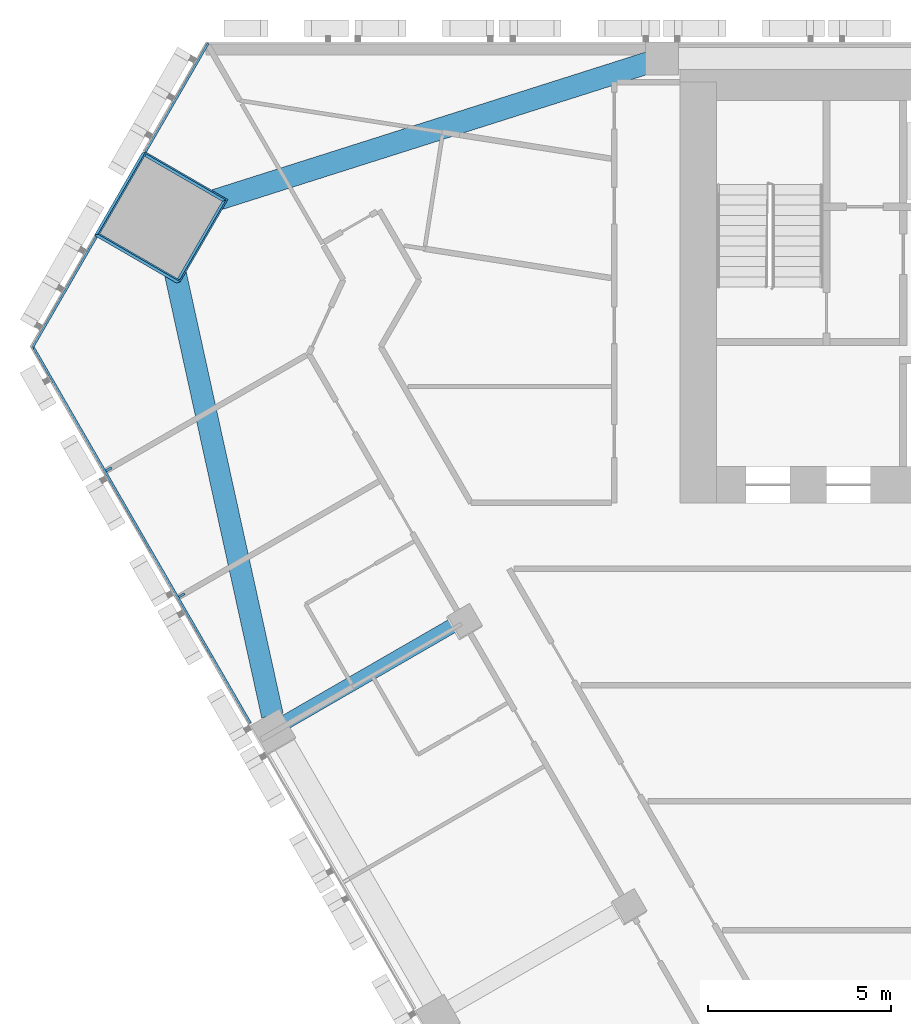
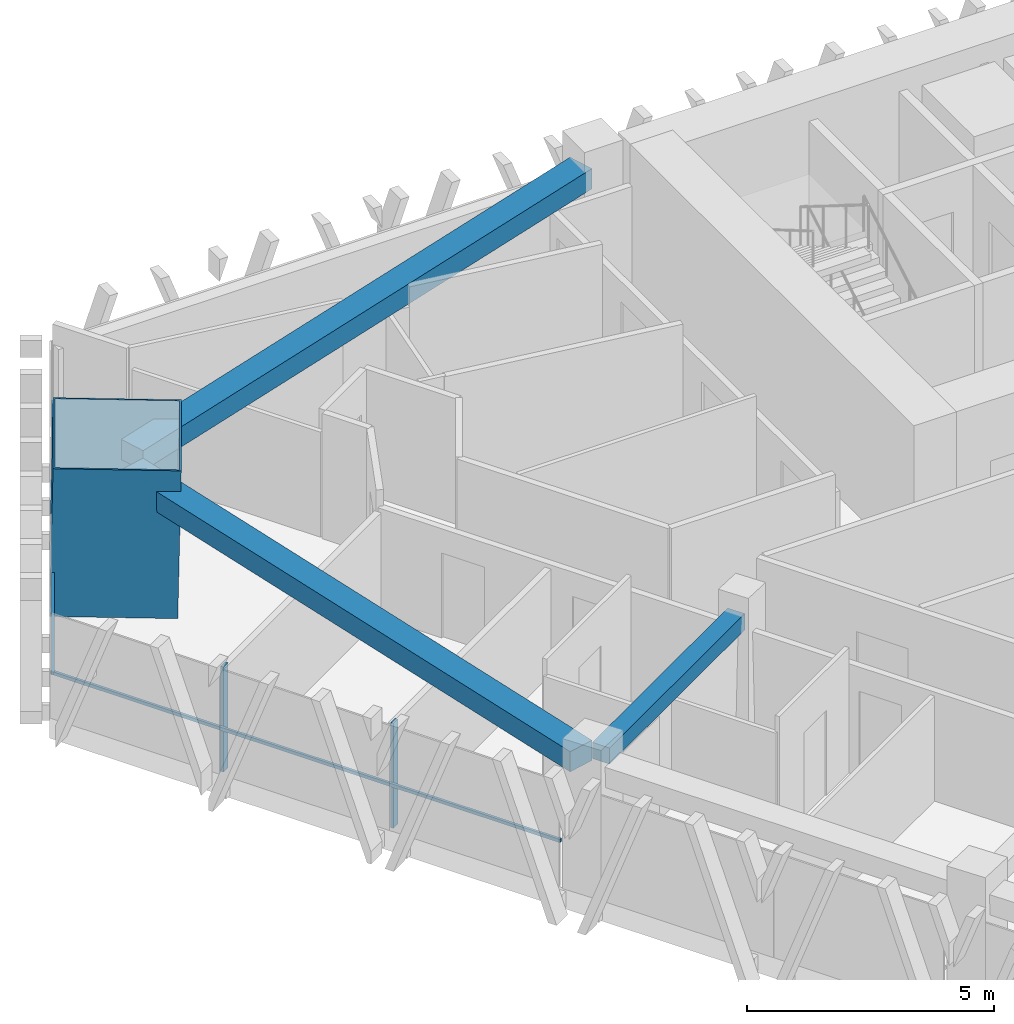
# One storey, part 6 of 18: 6 members, 3 beams, 2 elements without a shape of their own.
"""IFC4 building model written with IfcOpenShell, lengths in metres."""

from ifc_helpers import new_model, si_unit, direction, frame, origin, origin_2d, place, context, subcontext, project, spatial, rectangle, hollow_rectangle, extrude, material, layer, layer_set, material_profile, profile_set, type_object, element, aggregate, save


model = new_model("IFC4")

# Units and contexts
model_context = context("Model", 3, precision=1e-05, world=origin(), true_north=direction((0.0, 1.0)))
body_context = subcontext(model_context, "Body", "Model", "MODEL_VIEW")
ifc_project = project(units=[si_unit("LENGTHUNIT", "METRE"), si_unit("AREAUNIT", "SQUARE_METRE"), si_unit("VOLUMEUNIT", "CUBIC_METRE"), si_unit("PLANEANGLEUNIT", "RADIAN"), si_unit("MASSUNIT", "GRAM", prefix="KILO")], contexts=[model_context])

# Site, building, storey
site_placement = place(None, origin())
site = spatial("IfcSite", under=ifc_project, at=site_placement, CompositionType="ELEMENT")
building_placement = place(site_placement, origin())
building = spatial("IfcBuilding", under=site, at=building_placement, Name="Altiplano Prism Tower", CompositionType="ELEMENT")
storey_placement = place(building_placement, frame((0.0, 0.0, 45.0)))
storey = spatial("IfcBuildingStorey", under=building, at=storey_placement, Name="L10", CompositionType="ELEMENT", Elevation=45.0)

# Curtain wall, members
ifc_material_1 = material(Name="Aluminium and glass", Category="aluminium")
ifc_layer = layer(ifc_material_1, 0.280029296875)
ifc_layer_set = layer_set([ifc_layer], Name="Aluminium and glass")
curtain_wall_type = type_object("IfcCurtainWallType", Name="CW1 typical co-living unitised curtain wall", PredefinedType="NOTDEFINED", material=ifc_layer_set)
curtain_wall_1_placement = place(storey_placement, origin())
curtain_wall_1 = element("IfcCurtainWall", 1, at=curtain_wall_1_placement, inside=storey, type_object=curtain_wall_type, Name="CW1 curtain wall south-west face L10", PredefinedType="NOTDEFINED")
ifc_material_2 = material(Name="Aluminium", Category="aluminium")
ifc_material_profile_1 = material_profile(ifc_material_2, rectangle(XDim=0.179931640625, YDim=0.06494140625, at=origin_2d()), Name="CW1 mullion 65 x 180")
ifc_profile_set_1 = profile_set([ifc_material_profile_1], Name="Aluminium")
member_type_1 = type_object("IfcMemberType", Name="CW1 mullion 65 x 180", PredefinedType="MULLION", material=ifc_profile_set_1)
member_1_placement = place(storey_placement, frame((56.388427734375, 93.322021484375, 0.0), z_axis=(0.0, 0.0, 1.0), x_axis=(0.86602540265, 0.500000001965, 0.0)))
member_1 = element("IfcMember", 2, at=member_1_placement, type_object=member_type_1, Name="CW1 mullion", PredefinedType="MULLION", context=body_context, shape_type="SweptSolid", body=[
    extrude(rectangle(XDim=0.179931640625, YDim=0.06494140625, at=origin_2d()), origin(), (0.0, 0.0, 1.0), 2.60009765625),
])
member_2_placement = place(storey_placement, frame((58.3779296875, 89.876220703125, 0.0), z_axis=(0.0, 0.0, 1.0), x_axis=(0.86602540265, 0.500000001965, 0.0)))
member_2 = element("IfcMember", 3, at=member_2_placement, type_object=member_type_1, Name="CW1 mullion", PredefinedType="MULLION", context=body_context, shape_type="SweptSolid", body=[
    extrude(rectangle(XDim=0.179931640625, YDim=0.06494140625, at=origin_2d()), origin(), (0.0, 0.0, 1.0), 2.60009765625),
])

curtain_wall_2_placement = place(storey_placement, origin())
curtain_wall_2 = element("IfcCurtainWall", 4, at=curtain_wall_2_placement, inside=storey, type_object=curtain_wall_type, Name="CW1 curtain wall north-west chamfer L10", PredefinedType="NOTDEFINED")
ifc_material_profile_2 = material_profile(ifc_material_2, rectangle(XDim=0.06005859375, YDim=0.080078125, at=origin_2d()), Name="CW1 transom 80 x 60")
ifc_profile_set_2 = profile_set([ifc_material_profile_2], Name="Aluminium")
member_type_2 = type_object("IfcMemberType", Name="CW1 transom 80 x 60", PredefinedType="USERDEFINED", material=ifc_profile_set_2)
member_3_placement = place(storey_placement, frame((59.1025390625, 104.965087890625, 1.10009765625), z_axis=(-0.499999897272, -0.866025463095, 0.0), x_axis=(0.866025463095, -0.499999897272, 0.0)))
member_3 = element("IfcMember", 5, at=member_3_placement, type_object=member_type_2, Name="CW1 transom", ObjectType="TRANSOM", PredefinedType="USERDEFINED", context=body_context, shape_type="SweptSolid", body=[
    extrude(rectangle(XDim=0.06005859375, YDim=0.080078125, at=origin_2d()), origin(), (0.0, 0.0, 1.0), 3.427734375),
])
member_4_placement = place(storey_placement, frame((56.048828125, 99.67578125, 1.10009765625), z_axis=(-0.500001597329, -0.866024481564, 0.0), x_axis=(0.866024481564, -0.500001597329, 0.0)))
member_4 = element("IfcMember", 6, at=member_4_placement, type_object=member_type_2, Name="CW1 transom", ObjectType="TRANSOM", PredefinedType="USERDEFINED", context=body_context, shape_type="SweptSolid", body=[
    extrude(rectangle(XDim=0.06005859375, YDim=0.080078125, at=origin_2d()), origin(), (0.0, 0.0, 1.0), 3.5078125),
])
aggregate(curtain_wall_2, [member_3, member_4])

# Member
member_5_placement = place(storey_placement, frame((54.294921875, 96.7080078125, 1.10009765625), z_axis=(0.500008873337, -0.8660202807, 0.0), x_axis=(0.8660202807, 0.500008873337, 0.0)))
member_5 = element("IfcMember", 7, at=member_5_placement, type_object=member_type_2, Name="CW1 transom", ObjectType="TRANSOM", PredefinedType="USERDEFINED", context=body_context, shape_type="SweptSolid", body=[
    extrude(rectangle(XDim=0.06005859375, YDim=0.080078125, at=origin_2d()), origin(), (0.0, 0.0, 1.0), 11.928466796875),
])

aggregate(curtain_wall_1, [member_1, member_2, member_5])

# Beams
ifc_material_3 = material(Name="Concrete C60/75", Category="concrete")
ifc_material_profile_3 = material_profile(ifc_material_3, rectangle(XDim=0.60009765625, YDim=0.5, at=origin_2d()), Name="Edge beam 600x500")
ifc_profile_set_3 = profile_set([ifc_material_profile_3], Name="Concrete C60/75")
beam_type_1 = type_object("IfcBeamType", Name="Edge beam 600x500", PredefinedType="SPANDREL", material=ifc_profile_set_3)
for number, where, z_axis, x_axis, name in (
    (8, (71.164306640625, 104.443359375, 2.85009765625), (-0.953082376786, -0.302711055398, 0.0), (0.302711055398, -0.953082376786, 0.0), "Edge beam P04-M0 L11"),
    (9, (57.962646484375, 99.7802734375, 2.85009765625), (0.214402666883, -0.976745359054, 0.0), (0.976745359054, 0.214402666883, 0.0), "Edge beam M0-P11 L11"),
):
    element("IfcBeam", number, at=place(storey_placement, frame(where, z_axis=z_axis, x_axis=x_axis)), inside=storey, type_object=beam_type_1, Name=name, PredefinedType="SPANDREL", context=body_context, shape_type="SweptSolid", body=[
        extrude(rectangle(XDim=0.60009765625, YDim=0.5, at=origin_2d()), origin(), (0.0, 0.0, 1.0), 13.502685546875),
    ])

# Member
ifc_material_4 = material(Name="Steel S460", Category="steel")
ifc_material_profile_4 = material_profile(ifc_material_4, hollow_rectangle(XDim=2.60009765625, YDim=2.60009765625, WallThickness=0.0400390625, at=origin_2d()), Name="Mega column tube 2600")
ifc_profile_set_4 = profile_set([ifc_material_profile_4], Name="Steel S460")
member_type_3 = type_object("IfcMemberType", Name="Mega column tube 2600", PredefinedType="POST", material=ifc_profile_set_4)
member_6_placement = place(storey_placement, frame((57.763916015625, 100.1865234375, 0.0), z_axis=(0.028401814599, 0.009218727412, 0.999554076572), x_axis=(-0.865122998738, 0.501162448814, 0.019959883591)))
element("IfcMember", 10, at=member_6_placement, inside=storey, type_object=member_type_3, Name="Mega column tube M0 L10", PredefinedType="POST", context=body_context, shape_type="SweptSolid", body=[
    extrude(hollow_rectangle(XDim=2.60009765625, YDim=2.60009765625, WallThickness=0.0400390625, at=origin_2d()), origin(), (0.0, 0.0, 1.0), 3.601806640625),
])

# Beam
ifc_material_profile_5 = material_profile(ifc_material_3, rectangle(XDim=0.39990234375, YDim=0.39990234375, at=origin_2d()), Name="Tie beam 400x400")
ifc_profile_set_5 = profile_set([ifc_material_profile_5], Name="Concrete C60/75")
beam_type_2 = type_object("IfcBeamType", Name="Tie beam 400x400", PredefinedType="BEAM", material=ifc_profile_set_5)
beam_placement = place(storey_placement, frame((65.973388671875, 89.15771484375, 2.89990234375), z_axis=(-0.866012292785, -0.50002270823, 0.0), x_axis=(0.50002270823, -0.866012292785, 0.0)))
element("IfcBeam", 11, at=beam_placement, inside=storey, type_object=beam_type_2, Name="Tie beam I11 L11", PredefinedType="BEAM", context=body_context, shape_type="SweptSolid", body=[
    extrude(rectangle(XDim=0.39990234375, YDim=0.39990234375, at=origin_2d()), origin(), (0.0, 0.0, 1.0), 5.489990234375),
])

save(model, "model.ifc")
